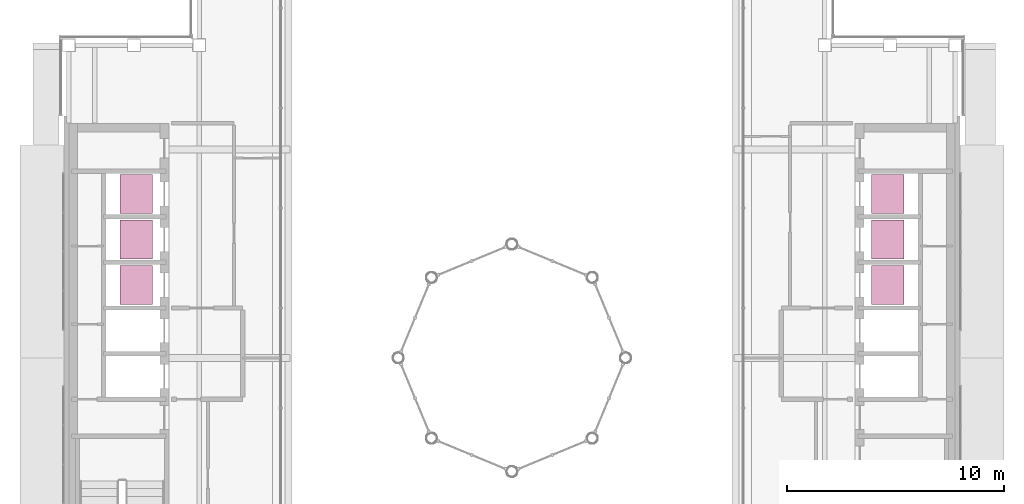
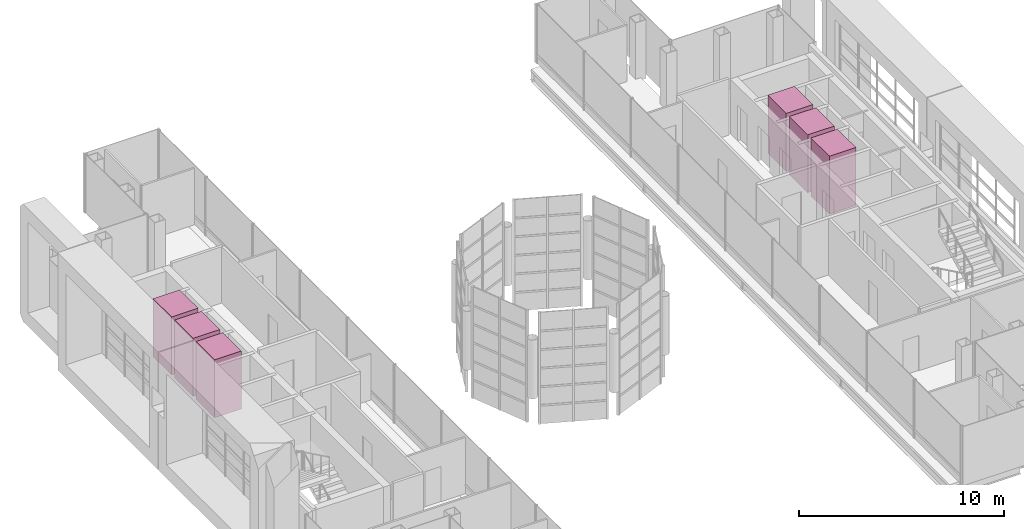
# One storey, part 21 of 21: 6 transport elements.
"""IFC4 building model written with IfcOpenShell, lengths in metres."""

from ifc_helpers import new_model, si_unit, direction, frame, origin, origin_2d, place, context, subcontext, project, spatial, rectangle, extrude, material, type_object, element, save


model = new_model("IFC4")

# Units and contexts
model_context = context("Model", 3, precision=1e-05, world=origin(), true_north=direction((0.0, 1.0)))
body_context = subcontext(model_context, "Body", "Model", "MODEL_VIEW")
ifc_project = project(units=[si_unit("LENGTHUNIT", "METRE"), si_unit("AREAUNIT", "SQUARE_METRE"), si_unit("VOLUMEUNIT", "CUBIC_METRE"), si_unit("PLANEANGLEUNIT", "RADIAN"), si_unit("MASSUNIT", "GRAM", prefix="KILO")], contexts=[model_context])

# Site, building, storey
site_placement = place(None, origin())
site = spatial("IfcSite", under=ifc_project, at=site_placement, CompositionType="ELEMENT")
building_placement = place(site_placement, origin())
building = spatial("IfcBuilding", under=site, at=building_placement, Name="Cobrizo Arcos Hotel Tower", CompositionType="ELEMENT")
storey_placement = place(building_placement, frame((0.0, 0.0, 283.0)))
storey = spatial("IfcBuildingStorey", under=building, at=storey_placement, Name="L75", CompositionType="ELEMENT", Elevation=283.0)

# Transport elements
ifc_material = material(Name="Stainless steel car", Category="steel")
transport_element_type = type_object("IfcTransportElementType", Name="Lift car High 1.8x1.5", PredefinedType="ELEVATOR", material=ifc_material)
for number, where, z_axis, x_axis, name in (
    (1, (-17.300048828125, 3.35009765625, 0.0), (0.0, 0.0, 1.0), (1.0, 0.0, 0.0), "High-rise passenger lift W1"),
    (2, (-17.300048828125, 5.449951171875, 0.0), (0.0, 0.0, 1.0), (1.0, 0.0, 0.0), "High-rise passenger lift W2"),
    (3, (-17.300048828125, 7.550048828125, 0.0), (0.0, 0.0, 1.0), (1.0, 0.0, 0.0), "High-rise passenger lift W3"),
    (4, (17.300048828125, 3.35009765625, 0.0), (0.0, 0.0, 1.0), (1.0, 0.0, 0.0), "High-rise passenger lift E1"),
    (5, (17.300048828125, 5.449951171875, 0.0), (0.0, 0.0, 1.0), (1.0, 0.0, 0.0), "High-rise passenger lift E2"),
    (6, (17.300048828125, 7.550048828125, 0.0), (0.0, 0.0, 1.0), (1.0, 0.0, 0.0), "High-rise passenger lift E3"),
):
    element("IfcTransportElement", number, at=place(storey_placement, frame(where, z_axis=z_axis, x_axis=x_axis)), inside=storey, type_object=transport_element_type, Name=name, PredefinedType="ELEVATOR", context=body_context, shape_type="SweptSolid", body=[
        extrude(rectangle(XDim=1.5, YDim=1.800048828125, at=origin_2d()), origin(), (0.0, 0.0, 1.0), 3.449951171875),
    ])

save(model, "model.ifc")
